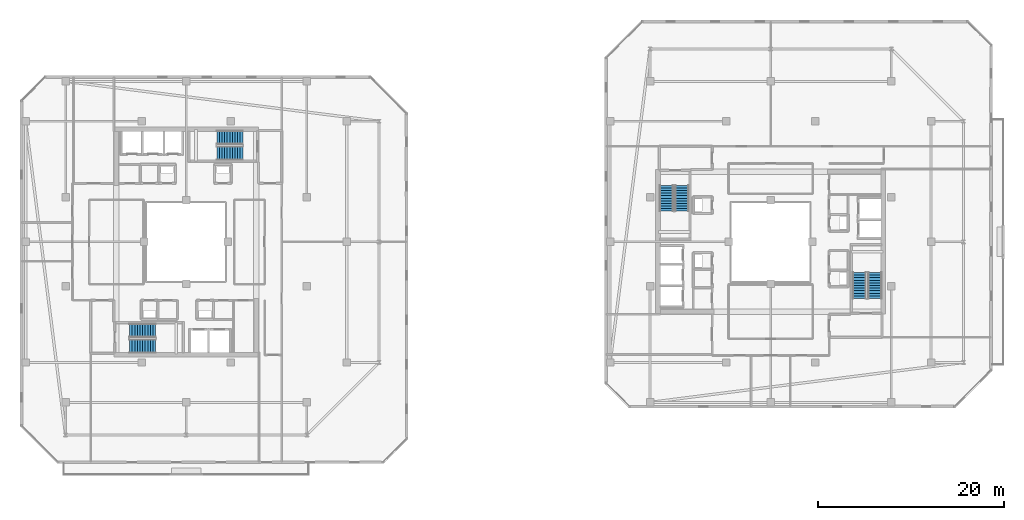
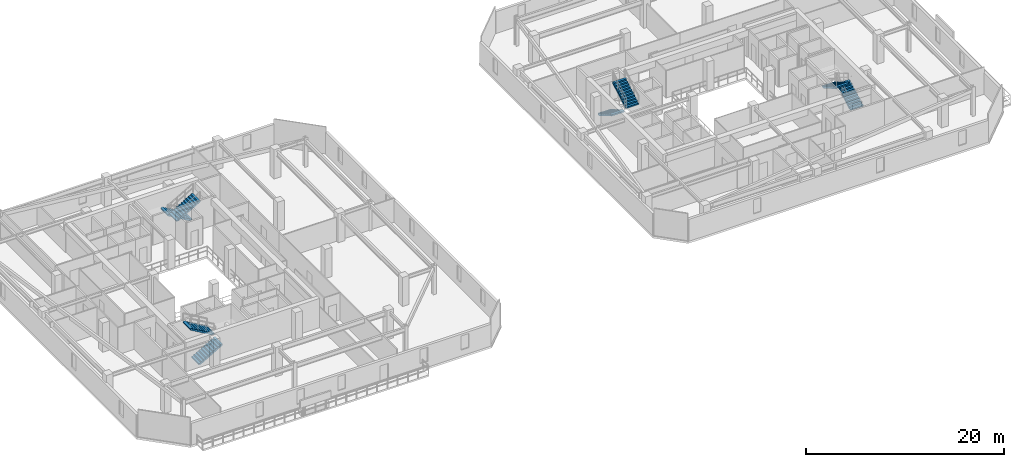
# One storey, part 28 of 34: 8 stair flights, 4 elements without a shape of their own.
"""IFC4 building model written with IfcOpenShell, lengths in metres."""

from ifc_helpers import new_model, si_unit, direction, frame, origin, place, context, subcontext, project, spatial, polyline, outline, extrude, material, type_object, element, aggregate, save


model = new_model("IFC4")

# Units and contexts
model_context = context("Model", 3, precision=1e-05, world=origin(), true_north=direction((0.0, 1.0)))
body_context = subcontext(model_context, "Body", "Model", "MODEL_VIEW")
ifc_project = project(units=[si_unit("LENGTHUNIT", "METRE"), si_unit("AREAUNIT", "SQUARE_METRE"), si_unit("VOLUMEUNIT", "CUBIC_METRE"), si_unit("PLANEANGLEUNIT", "RADIAN"), si_unit("MASSUNIT", "GRAM", prefix="KILO")], contexts=[model_context])

# Site, building, storey
site_placement = place(None, origin())
site = spatial("IfcSite", under=ifc_project, at=site_placement, CompositionType="ELEMENT")
building_placement = place(site_placement, origin())
building = spatial("IfcBuilding", under=site, at=building_placement, Name="Thornwick Lancets Civic Towers", CompositionType="ELEMENT")
storey_placement = place(building_placement, frame((0.0, 0.0, 258.300048828125)))
storey = spatial("IfcBuildingStorey", under=building, at=storey_placement, Name="L69", CompositionType="ELEMENT", Elevation=258.300048828125)

# Stair, stair flights
ifc_material = material(Name="Concrete C40/50", Category="concrete")
stair_type = type_object("IfcStairType", Name="STAIR_DL_3600", PredefinedType="HALF_TURN_STAIR", material=ifc_material)
stair_1_placement = place(storey_placement, origin())
stair_1 = element("IfcStair", 1, at=stair_1_placement, inside=storey, type_object=stair_type, Name="L69 Tower A South Exit Stair ST-A1", PredefinedType="HALF_TURN_STAIR")
stair_flight_type = type_object("IfcStairFlightType", Name="FLIGHT_3600", PredefinedType="STRAIGHT", material=ifc_material)
stair_flight_1_placement = place(storey_placement, frame((19.39990234375, 15.75, 0.0), z_axis=(0.0, 0.0, 1.0), x_axis=(1.0, 0.0, 0.0)))
stair_flight_1 = element("IfcStairFlight", 2, at=stair_flight_1_placement, type_object=stair_flight_type, Name="ST-A1 flight 1", NumberOfRisers=11, NumberOfTreads=10, PredefinedType="STRAIGHT", RiserHeight=0.163636364, TreadLength=0.28, context=body_context, shape_type="SweptSolid", body=[
    extrude(outline(polyline([(0.0, 0.0), (0.0, 0.16357421875), (0.280029296875, 0.16357421875), (0.280029296875, 0.327392578125), (0.56005859375, 0.327392578125), (0.56005859375, 0.490966796875), (0.840087890625, 0.490966796875), (0.840087890625, 0.654541015625), (1.1201171875, 0.654541015625), (1.1201171875, 0.818115234375), (1.39990234375, 0.818115234375), (1.39990234375, 0.98193359375), (1.679931640625, 0.98193359375), (1.679931640625, 1.1455078125), (1.9599609375, 1.1455078125), (1.9599609375, 1.30908203125), (2.239990234375, 1.30908203125), (2.239990234375, 1.47265625), (2.52001953125, 1.47265625), (2.52001953125, 1.636474609375), (2.800048828125, 1.636474609375), (2.800048828125, 1.800048828125), (2.800048828125, 1.462646484375), (0.297119140625, 0.0), (0.0, 0.0)])), frame((0.0, 0.75, 0.0), z_axis=(0.0, -1.0, 0.0), x_axis=(1.0, 0.0, 0.0)), (0.0, 0.0, 1.0), 1.5),
])
stair_flight_2_placement = place(storey_placement, frame((22.199951171875, 17.449951171875, 1.800048828125), z_axis=(0.0, 0.0, 1.0), x_axis=(-1.0, 0.0, 0.0)))
stair_flight_2 = element("IfcStairFlight", 3, at=stair_flight_2_placement, type_object=stair_flight_type, Name="ST-A1 flight 2", NumberOfRisers=11, NumberOfTreads=10, PredefinedType="STRAIGHT", RiserHeight=0.163636364, TreadLength=0.28, context=body_context, shape_type="SweptSolid", body=[
    extrude(outline(polyline([(0.0, 0.0), (0.0, 0.16357421875), (0.280029296875, 0.16357421875), (0.280029296875, 0.327392578125), (0.56005859375, 0.327392578125), (0.56005859375, 0.490966796875), (0.840087890625, 0.490966796875), (0.840087890625, 0.654541015625), (1.1201171875, 0.654541015625), (1.1201171875, 0.818115234375), (1.39990234375, 0.818115234375), (1.39990234375, 0.98193359375), (1.679931640625, 0.98193359375), (1.679931640625, 1.1455078125), (1.9599609375, 1.1455078125), (1.9599609375, 1.30908203125), (2.239990234375, 1.30908203125), (2.239990234375, 1.47265625), (2.52001953125, 1.47265625), (2.52001953125, 1.636474609375), (2.800048828125, 1.636474609375), (2.800048828125, 1.800048828125), (2.800048828125, 1.462646484375), (0.297119140625, 0.0), (0.0, 0.0)])), frame((0.0, 0.75, 0.0), z_axis=(0.0, -1.0, 0.0), x_axis=(1.0, 0.0, 0.0)), (0.0, 0.0, 1.0), 1.5),
])
aggregate(stair_1, [stair_flight_1, stair_flight_2])

stair_2_placement = place(storey_placement, origin())
stair_2 = element("IfcStair", 4, at=stair_2_placement, inside=storey, type_object=stair_type, Name="L69 Tower A North Exit Stair ST-A2", PredefinedType="HALF_TURN_STAIR")
stair_flight_3_placement = place(storey_placement, frame((31.60009765625, 38.25, 0.0), z_axis=(0.0, 0.0, 1.0), x_axis=(-1.0, 0.0, 0.0)))
stair_flight_3 = element("IfcStairFlight", 5, at=stair_flight_3_placement, type_object=stair_flight_type, Name="ST-A2 flight 1", NumberOfRisers=11, NumberOfTreads=10, PredefinedType="STRAIGHT", RiserHeight=0.163636364, TreadLength=0.28, context=body_context, shape_type="SweptSolid", body=[
    extrude(outline(polyline([(0.0, 0.0), (0.0, 0.16357421875), (0.280029296875, 0.16357421875), (0.280029296875, 0.327392578125), (0.56005859375, 0.327392578125), (0.56005859375, 0.490966796875), (0.840087890625, 0.490966796875), (0.840087890625, 0.654541015625), (1.1201171875, 0.654541015625), (1.1201171875, 0.818115234375), (1.39990234375, 0.818115234375), (1.39990234375, 0.98193359375), (1.679931640625, 0.98193359375), (1.679931640625, 1.1455078125), (1.9599609375, 1.1455078125), (1.9599609375, 1.30908203125), (2.239990234375, 1.30908203125), (2.239990234375, 1.47265625), (2.52001953125, 1.47265625), (2.52001953125, 1.636474609375), (2.800048828125, 1.636474609375), (2.800048828125, 1.800048828125), (2.800048828125, 1.462646484375), (0.297119140625, 0.0), (0.0, 0.0)])), frame((0.0, 0.75, 0.0), z_axis=(0.0, -1.0, 0.0), x_axis=(1.0, 0.0, 0.0)), (0.0, 0.0, 1.0), 1.5),
])
stair_flight_4_placement = place(storey_placement, frame((28.800048828125, 36.550048828125, 1.800048828125), z_axis=(0.0, 0.0, 1.0), x_axis=(1.0, 0.0, 0.0)))
stair_flight_4 = element("IfcStairFlight", 6, at=stair_flight_4_placement, type_object=stair_flight_type, Name="ST-A2 flight 2", NumberOfRisers=11, NumberOfTreads=10, PredefinedType="STRAIGHT", RiserHeight=0.163636364, TreadLength=0.28, context=body_context, shape_type="SweptSolid", body=[
    extrude(outline(polyline([(0.0, 0.0), (0.0, 0.16357421875), (0.280029296875, 0.16357421875), (0.280029296875, 0.327392578125), (0.56005859375, 0.327392578125), (0.56005859375, 0.490966796875), (0.840087890625, 0.490966796875), (0.840087890625, 0.654541015625), (1.1201171875, 0.654541015625), (1.1201171875, 0.818115234375), (1.39990234375, 0.818115234375), (1.39990234375, 0.98193359375), (1.679931640625, 0.98193359375), (1.679931640625, 1.1455078125), (1.9599609375, 1.1455078125), (1.9599609375, 1.30908203125), (2.239990234375, 1.30908203125), (2.239990234375, 1.47265625), (2.52001953125, 1.47265625), (2.52001953125, 1.636474609375), (2.800048828125, 1.636474609375), (2.800048828125, 1.800048828125), (2.800048828125, 1.462646484375), (0.297119140625, 0.0), (0.0, 0.0)])), frame((0.0, 0.75, 0.0), z_axis=(0.0, -1.0, 0.0), x_axis=(1.0, 0.0, 0.0)), (0.0, 0.0, 1.0), 1.5),
])
aggregate(stair_2, [stair_flight_3, stair_flight_4])

stair_3_placement = place(storey_placement, origin())
stair_3 = element("IfcStair", 7, at=stair_3_placement, inside=storey, type_object=stair_type, Name="L69 Tower B East Exit Stair ST-B1", PredefinedType="HALF_TURN_STAIR")
stair_flight_5_placement = place(storey_placement, frame((99.75, 20.89990234375, 0.0), z_axis=(0.0, 0.0, 1.0), x_axis=(0.0, 1.0, 0.0)))
stair_flight_5 = element("IfcStairFlight", 8, at=stair_flight_5_placement, type_object=stair_flight_type, Name="ST-B1 flight 1", NumberOfRisers=11, NumberOfTreads=10, PredefinedType="STRAIGHT", RiserHeight=0.163636364, TreadLength=0.28, context=body_context, shape_type="SweptSolid", body=[
    extrude(outline(polyline([(0.0, 0.0), (0.0, 0.16357421875), (0.280029296875, 0.16357421875), (0.280029296875, 0.327392578125), (0.56005859375, 0.327392578125), (0.56005859375, 0.490966796875), (0.840087890625, 0.490966796875), (0.840087890625, 0.654541015625), (1.1201171875, 0.654541015625), (1.1201171875, 0.818115234375), (1.39990234375, 0.818115234375), (1.39990234375, 0.98193359375), (1.679931640625, 0.98193359375), (1.679931640625, 1.1455078125), (1.9599609375, 1.1455078125), (1.9599609375, 1.30908203125), (2.239990234375, 1.30908203125), (2.239990234375, 1.47265625), (2.52001953125, 1.47265625), (2.52001953125, 1.636474609375), (2.800048828125, 1.636474609375), (2.800048828125, 1.800048828125), (2.800048828125, 1.462646484375), (0.297119140625, 0.0), (0.0, 0.0)])), frame((0.0, 0.75, 0.0), z_axis=(0.0, -1.0, 0.0), x_axis=(1.0, 0.0, 0.0)), (0.0, 0.0, 1.0), 1.5),
])
stair_flight_6_placement = place(storey_placement, frame((98.050048828125, 23.699951171875, 1.800048828125), z_axis=(0.0, 0.0, 1.0), x_axis=(0.0, -1.0, 0.0)))
stair_flight_6 = element("IfcStairFlight", 9, at=stair_flight_6_placement, type_object=stair_flight_type, Name="ST-B1 flight 2", NumberOfRisers=11, NumberOfTreads=10, PredefinedType="STRAIGHT", RiserHeight=0.163636364, TreadLength=0.28, context=body_context, shape_type="SweptSolid", body=[
    extrude(outline(polyline([(0.0, 0.0), (0.0, 0.16357421875), (0.280029296875, 0.16357421875), (0.280029296875, 0.327392578125), (0.56005859375, 0.327392578125), (0.56005859375, 0.490966796875), (0.840087890625, 0.490966796875), (0.840087890625, 0.654541015625), (1.1201171875, 0.654541015625), (1.1201171875, 0.818115234375), (1.39990234375, 0.818115234375), (1.39990234375, 0.98193359375), (1.679931640625, 0.98193359375), (1.679931640625, 1.1455078125), (1.9599609375, 1.1455078125), (1.9599609375, 1.30908203125), (2.239990234375, 1.30908203125), (2.239990234375, 1.47265625), (2.52001953125, 1.47265625), (2.52001953125, 1.636474609375), (2.800048828125, 1.636474609375), (2.800048828125, 1.800048828125), (2.800048828125, 1.462646484375), (0.297119140625, 0.0), (0.0, 0.0)])), frame((0.0, 0.75, 0.0), z_axis=(0.0, -1.0, 0.0), x_axis=(1.0, 0.0, 0.0)), (0.0, 0.0, 1.0), 1.5),
])
aggregate(stair_3, [stair_flight_5, stair_flight_6])

stair_4_placement = place(storey_placement, origin())
stair_4 = element("IfcStair", 10, at=stair_4_placement, inside=storey, type_object=stair_type, Name="L69 Tower B West Exit Stair ST-B2", PredefinedType="HALF_TURN_STAIR")
stair_flight_7_placement = place(storey_placement, frame((77.25, 33.10009765625, 0.0), z_axis=(0.0, 0.0, 1.0), x_axis=(0.0, -1.0, 0.0)))
stair_flight_7 = element("IfcStairFlight", 11, at=stair_flight_7_placement, type_object=stair_flight_type, Name="ST-B2 flight 1", NumberOfRisers=11, NumberOfTreads=10, PredefinedType="STRAIGHT", RiserHeight=0.163636364, TreadLength=0.28, context=body_context, shape_type="SweptSolid", body=[
    extrude(outline(polyline([(0.0, 0.0), (0.0, 0.16357421875), (0.280029296875, 0.16357421875), (0.280029296875, 0.327392578125), (0.56005859375, 0.327392578125), (0.56005859375, 0.490966796875), (0.840087890625, 0.490966796875), (0.840087890625, 0.654541015625), (1.1201171875, 0.654541015625), (1.1201171875, 0.818115234375), (1.39990234375, 0.818115234375), (1.39990234375, 0.98193359375), (1.679931640625, 0.98193359375), (1.679931640625, 1.1455078125), (1.9599609375, 1.1455078125), (1.9599609375, 1.30908203125), (2.239990234375, 1.30908203125), (2.239990234375, 1.47265625), (2.52001953125, 1.47265625), (2.52001953125, 1.636474609375), (2.800048828125, 1.636474609375), (2.800048828125, 1.800048828125), (2.800048828125, 1.462646484375), (0.297119140625, 0.0), (0.0, 0.0)])), frame((0.0, 0.75, 0.0), z_axis=(0.0, -1.0, 0.0), x_axis=(1.0, 0.0, 0.0)), (0.0, 0.0, 1.0), 1.5),
])
stair_flight_8_placement = place(storey_placement, frame((78.949951171875, 30.300048828125, 1.800048828125), z_axis=(0.0, 0.0, 1.0), x_axis=(0.0, 1.0, 0.0)))
stair_flight_8 = element("IfcStairFlight", 12, at=stair_flight_8_placement, type_object=stair_flight_type, Name="ST-B2 flight 2", NumberOfRisers=11, NumberOfTreads=10, PredefinedType="STRAIGHT", RiserHeight=0.163636364, TreadLength=0.28, context=body_context, shape_type="SweptSolid", body=[
    extrude(outline(polyline([(0.0, 0.0), (0.0, 0.16357421875), (0.280029296875, 0.16357421875), (0.280029296875, 0.327392578125), (0.56005859375, 0.327392578125), (0.56005859375, 0.490966796875), (0.840087890625, 0.490966796875), (0.840087890625, 0.654541015625), (1.1201171875, 0.654541015625), (1.1201171875, 0.818115234375), (1.39990234375, 0.818115234375), (1.39990234375, 0.98193359375), (1.679931640625, 0.98193359375), (1.679931640625, 1.1455078125), (1.9599609375, 1.1455078125), (1.9599609375, 1.30908203125), (2.239990234375, 1.30908203125), (2.239990234375, 1.47265625), (2.52001953125, 1.47265625), (2.52001953125, 1.636474609375), (2.800048828125, 1.636474609375), (2.800048828125, 1.800048828125), (2.800048828125, 1.462646484375), (0.297119140625, 0.0), (0.0, 0.0)])), frame((0.0, 0.75, 0.0), z_axis=(0.0, -1.0, 0.0), x_axis=(1.0, 0.0, 0.0)), (0.0, 0.0, 1.0), 1.5),
])
aggregate(stair_4, [stair_flight_7, stair_flight_8])

save(model, "model.ifc")
